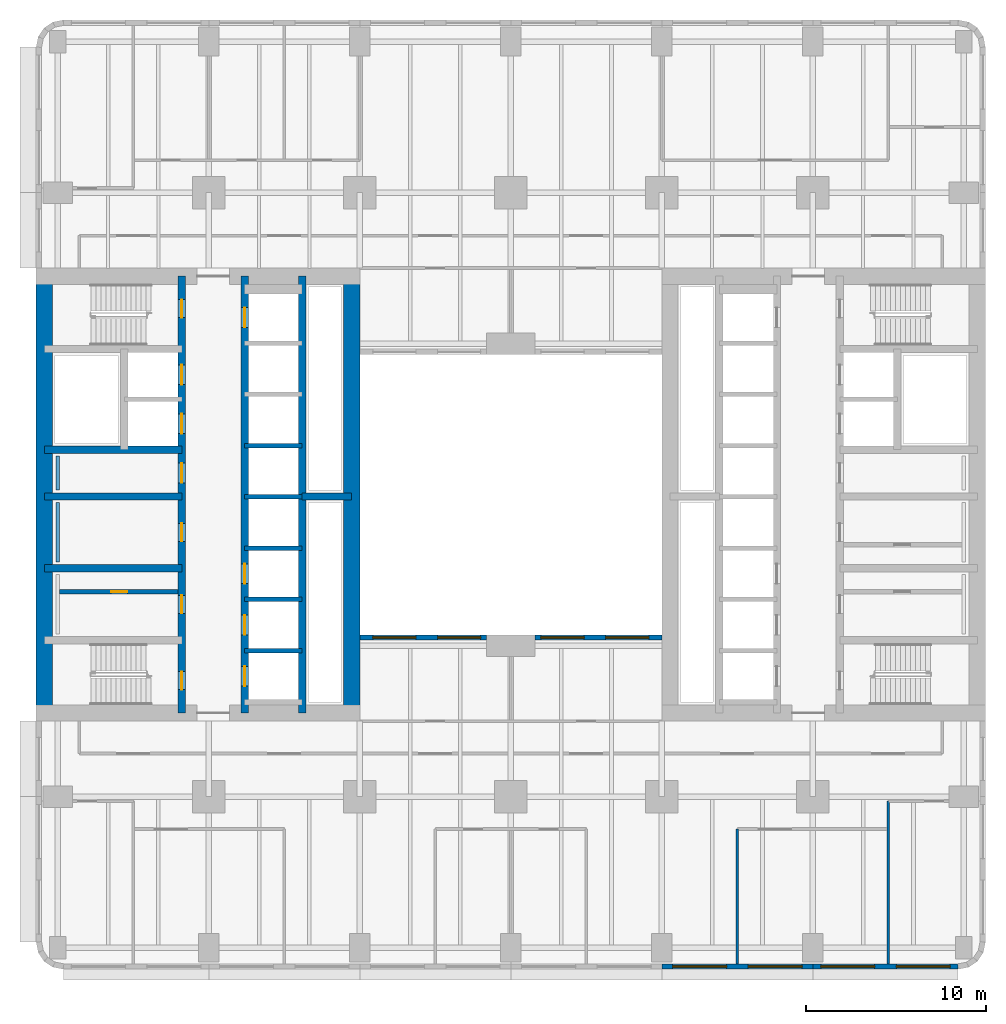
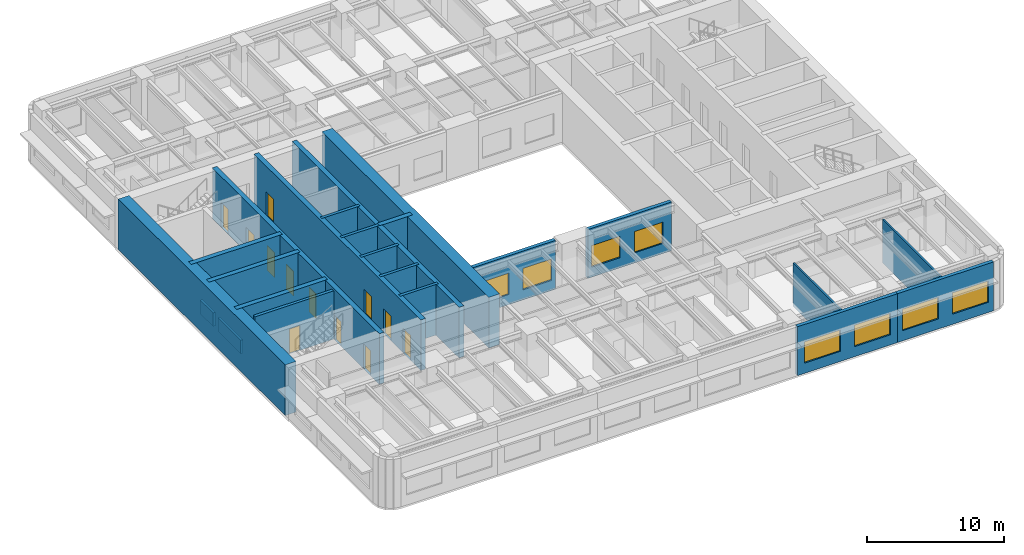
# One storey, part 4 of 14: 23 walls, 12 doors, 8 windows, 20 openings.
"""IFC4 building model written with IfcOpenShell, lengths in metres."""

from ifc_helpers import new_model, si_unit, direction, frame, frame_2d, origin, place, context, subcontext, project, spatial, rectangle, extrude, material, layer, layer_set, type_object, element, fill, save


model = new_model("IFC4")

# Units and contexts
model_context = context("Model", 3, precision=1e-05, world=origin(), true_north=direction((0.0, 1.0)))
body_context = subcontext(model_context, "Body", "Model", "MODEL_VIEW")
ifc_project = project(units=[si_unit("LENGTHUNIT", "METRE"), si_unit("AREAUNIT", "SQUARE_METRE"), si_unit("VOLUMEUNIT", "CUBIC_METRE"), si_unit("PLANEANGLEUNIT", "RADIAN"), si_unit("MASSUNIT", "GRAM", prefix="KILO")], contexts=[model_context])

# Site, building, storey
site_placement = place(None, origin())
site = spatial("IfcSite", under=ifc_project, at=site_placement, CompositionType="ELEMENT")
building_placement = place(site_placement, origin())
building = spatial("IfcBuilding", under=site, at=building_placement, Name="Claustro Exchange Tower", CompositionType="ELEMENT")
storey_placement = place(building_placement, frame((0.0, 0.0, 72.89990234375)))
storey = spatial("IfcBuildingStorey", under=building, at=storey_placement, Name="L16", CompositionType="ELEMENT", Elevation=72.89990234375)

# Walls
ifc_material_1 = material(Name="Gypsum board on steel studs", Category="steel")
ifc_layer_1 = layer(ifc_material_1, 0.14990234375)
ifc_layer_set_1 = layer_set([ifc_layer_1], Name="Gypsum board on steel studs")
wall_type_1 = type_object("IfcWallType", Name="P1 150 plasterboard partition", PredefinedType="PARTITIONING", material=ifc_layer_set_1)
wall_1_placement = place(storey_placement, frame((37.800048828125, -0.902099609375, 0.0), z_axis=(0.0, 0.0, 1.0), x_axis=(0.0, 1.0, 0.0)))
element("IfcWall", 1, at=wall_1_placement, inside=storey, type_object=wall_type_1, Name="Partition P1 L16", PredefinedType="PARTITIONING", context=body_context, shape_type="SweptSolid", body=[
    extrude(rectangle(XDim=7.502197265625, YDim=0.14990234375, at=frame_2d((3.7509765625, 0.0))), origin(), (0.0, 0.0, 1.0), 3.840087890625),
])
wall_2_placement = place(storey_placement, frame((46.199951171875, -0.902099609375, 0.0), z_axis=(0.0, 0.0, 1.0), x_axis=(0.0, 1.0, 0.0)))
element("IfcWall", 2, at=wall_2_placement, inside=storey, type_object=wall_type_1, Name="Partition P1 L16", PredefinedType="PARTITIONING", context=body_context, shape_type="SweptSolid", body=[
    extrude(rectangle(XDim=9.052001953125, YDim=0.14990234375, at=frame_2d((4.52587890625, 0.0))), origin(), (0.0, 0.0, 1.0), 3.840087890625),
])

# Wall, opening, door
ifc_material_2 = material(Name="Concrete blockwork, rendered", Category="masonry")
ifc_layer_2 = layer(ifc_material_2, 0.25)
ifc_layer_set_2 = layer_set([ifc_layer_2], Name="Concrete blockwork, rendered")
wall_type_2 = type_object("IfcWallType", Name="P4 250 blockwork wall", PredefinedType="PARTITIONING", material=ifc_layer_set_2)
wall_3_placement = place(storey_placement, frame((0.10009765625, 19.800048828125, 0.0), z_axis=(0.0, 0.0, 1.0), x_axis=(1.0, 0.0, 0.0)))
wall_3 = element("IfcWall", 3, at=wall_3_placement, inside=storey, type_object=wall_type_2, Name="Partition P4 L16", PredefinedType="PARTITIONING", context=body_context, shape_type="SweptSolid", body=[
    extrude(rectangle(XDim=6.599853515625, YDim=0.25, at=frame_2d((3.2998046875, 0.0))), origin(), (0.0, 0.0, 1.0), 4.300048828125),
])
opening_1_placement = place(wall_3_placement, frame((2.875, 0.0, 0.0)))
opening_1 = element("IfcOpeningElement", 4, at=opening_1_placement, cuts=wall_3, Name="Opening D5", PredefinedType="OPENING", context=body_context, shape_type="SweptSolid", body=[
    extrude(rectangle(XDim=0.89990234375, YDim=2.199951171875, at=frame_2d((0.449951171875, 1.10009765625))), frame((0.0, 0.135009765625, 0.0), z_axis=(0.0, -1.0, 0.0), x_axis=(1.0, 0.0, 0.0)), (0.0, 0.0, 1.0), 0.27001953125),
])
ifc_material_3 = material(Name="Steel door, painted", Category="steel")
door_type_1 = type_object("IfcDoorType", Name="D5 900 x 2200 store door", OperationType="SINGLE_SWING_LEFT", PredefinedType="DOOR", material=ifc_material_3)
door_1_placement = place(opening_1_placement, origin())
door_1 = element("IfcDoor", 5, at=door_1_placement, inside=storey, type_object=door_type_1, Name="Store door D5 L16", OperationType="SINGLE_SWING_LEFT", OverallHeight=2.199951171875, OverallWidth=0.89990234375, PredefinedType="DOOR", context=body_context, shape_type="SweptSolid", body=[
    extrude(rectangle(XDim=0.89990234375, YDim=2.199951171875, at=frame_2d((0.449951171875, 1.10009765625))), frame((0.0, 0.02490234375, 0.0), z_axis=(0.0, -1.0, 0.0), x_axis=(1.0, 0.0, 0.0)), (0.0, 0.0, 1.0), 0.050048828125),
])
fill(opening_1, door_1)

# Wall, openings, windows
ifc_material_4 = material(Name="Concrete HA-40 (C40/50), precast, white cement, acid-etched", Category="concrete")
ifc_layer_3 = layer(ifc_material_4, 0.300048828125)
ifc_layer_set_3 = layer_set([ifc_layer_3], Name="Concrete HA-40 (C40/50), precast, white cement, acid-etched")
wall_type_3 = type_object("IfcWallType", Name="PC1 300 precast concrete pier panel", PredefinedType="SOLIDWALL", material=ifc_layer_set_3)
wall_4_placement = place(storey_placement, frame((50.085205078125, -1.050048828125, 0.0), z_axis=(0.0, 0.0, 1.0), x_axis=(-1.0, 0.0, 0.0)))
wall_4 = element("IfcWall", 6, at=wall_4_placement, inside=storey, type_object=wall_type_3, Name="Precast pier panel PC1 L16", PredefinedType="SOLIDWALL", context=body_context, shape_type="SweptSolid", body=[
    extrude(rectangle(XDim=8.085205078125, YDim=0.300048828125, at=frame_2d((4.04248046875, 0.0))), origin(), (0.0, 0.0, 1.0), 4.340087890625),
])
opening_2_placement = place(wall_4_placement, frame((0.442626953125, 0.0, 0.89990234375)))
opening_2 = element("IfcOpeningElement", 7, at=opening_2_placement, cuts=wall_4, Name="Opening W1", PredefinedType="OPENING", context=body_context, shape_type="SweptSolid", body=[
    extrude(rectangle(XDim=3.0, YDim=1.89990234375, at=frame_2d((1.5, 0.949951171875))), frame((0.0, 0.159912109375, 0.0), z_axis=(0.0, -1.0, 0.0), x_axis=(1.0, 0.0, 0.0)), (0.0, 0.0, 1.0), 0.320068359375),
])
opening_3_placement = place(wall_4_placement, frame((4.642578125, 0.0, 0.89990234375)))
opening_3 = element("IfcOpeningElement", 8, at=opening_3_placement, cuts=wall_4, Name="Opening W1", PredefinedType="OPENING", context=body_context, shape_type="SweptSolid", body=[
    extrude(rectangle(XDim=3.0, YDim=1.89990234375, at=frame_2d((1.5, 0.949951171875))), frame((0.0, 0.159912109375, 0.0), z_axis=(0.0, -1.0, 0.0), x_axis=(1.0, 0.0, 0.0)), (0.0, 0.0, 1.0), 0.320068359375),
])
ifc_material_5 = material(Name="Aluminium frame, clear double glazing", Category="aluminium")
window_type_1 = type_object("IfcWindowType", Name="W1 3000 x 1900 window", PartitioningType="SINGLE_PANEL", PredefinedType="WINDOW", material=ifc_material_5)
window_1_placement = place(opening_2_placement, origin())
window_1 = element("IfcWindow", 9, at=window_1_placement, inside=storey, type_object=window_type_1, Name="Window W1 L16", OverallHeight=1.89990234375, OverallWidth=3.0, PartitioningType="SINGLE_PANEL", PredefinedType="WINDOW", context=body_context, shape_type="SweptSolid", body=[
    extrude(rectangle(XDim=3.0, YDim=1.89990234375, at=frame_2d((1.5, 0.949951171875))), frame((0.0, 0.030029296875, 0.0), z_axis=(0.0, -1.0, 0.0), x_axis=(1.0, 0.0, 0.0)), (0.0, 0.0, 1.0), 0.06005859375),
])
fill(opening_2, window_1)
window_2_placement = place(opening_3_placement, origin())
window_2 = element("IfcWindow", 10, at=window_2_placement, inside=storey, type_object=window_type_1, Name="Window W1 L16", OverallHeight=1.89990234375, OverallWidth=3.0, PartitioningType="SINGLE_PANEL", PredefinedType="WINDOW", context=body_context, shape_type="SweptSolid", body=[
    extrude(rectangle(XDim=3.0, YDim=1.89990234375, at=frame_2d((1.5, 0.949951171875))), frame((0.0, 0.030029296875, 0.0), z_axis=(0.0, -1.0, 0.0), x_axis=(1.0, 0.0, 0.0)), (0.0, 0.0, 1.0), 0.06005859375),
])
fill(opening_3, window_2)

wall_5_placement = place(storey_placement, frame((42.0, -1.050048828125, 0.0), z_axis=(0.0, 0.0, 1.0), x_axis=(-1.0, 0.0, 0.0)))
wall_5 = element("IfcWall", 11, at=wall_5_placement, inside=storey, type_object=wall_type_3, Name="Precast pier panel PC1 L16", PredefinedType="SOLIDWALL", context=body_context, shape_type="SweptSolid", body=[
    extrude(rectangle(XDim=8.39990234375, YDim=0.300048828125, at=frame_2d((4.199951171875, 0.0))), origin(), (0.0, 0.0, 1.0), 4.340087890625),
])
opening_4_placement = place(wall_5_placement, frame((0.60009765625, 0.0, 0.89990234375)))
opening_4 = element("IfcOpeningElement", 12, at=opening_4_placement, cuts=wall_5, Name="Opening W1", PredefinedType="OPENING", context=body_context, shape_type="SweptSolid", body=[
    extrude(rectangle(XDim=3.0, YDim=1.89990234375, at=frame_2d((1.5, 0.949951171875))), frame((0.0, 0.159912109375, 0.0), z_axis=(0.0, -1.0, 0.0), x_axis=(1.0, 0.0, 0.0)), (0.0, 0.0, 1.0), 0.320068359375),
])
opening_5_placement = place(wall_5_placement, frame((4.800048828125, 0.0, 0.89990234375)))
opening_5 = element("IfcOpeningElement", 13, at=opening_5_placement, cuts=wall_5, Name="Opening W1", PredefinedType="OPENING", context=body_context, shape_type="SweptSolid", body=[
    extrude(rectangle(XDim=3.0, YDim=1.89990234375, at=frame_2d((1.5, 0.949951171875))), frame((0.0, 0.159912109375, 0.0), z_axis=(0.0, -1.0, 0.0), x_axis=(1.0, 0.0, 0.0)), (0.0, 0.0, 1.0), 0.320068359375),
])
window_3_placement = place(opening_4_placement, origin())
window_3 = element("IfcWindow", 14, at=window_3_placement, inside=storey, type_object=window_type_1, Name="Window W1 L16", OverallHeight=1.89990234375, OverallWidth=3.0, PartitioningType="SINGLE_PANEL", PredefinedType="WINDOW", context=body_context, shape_type="SweptSolid", body=[
    extrude(rectangle(XDim=3.0, YDim=1.89990234375, at=frame_2d((1.5, 0.949951171875))), frame((0.0, 0.030029296875, 0.0), z_axis=(0.0, -1.0, 0.0), x_axis=(1.0, 0.0, 0.0)), (0.0, 0.0, 1.0), 0.06005859375),
])
fill(opening_4, window_3)
window_4_placement = place(opening_5_placement, origin())
window_4 = element("IfcWindow", 15, at=window_4_placement, inside=storey, type_object=window_type_1, Name="Window W1 L16", OverallHeight=1.89990234375, OverallWidth=3.0, PartitioningType="SINGLE_PANEL", PredefinedType="WINDOW", context=body_context, shape_type="SweptSolid", body=[
    extrude(rectangle(XDim=3.0, YDim=1.89990234375, at=frame_2d((1.5, 0.949951171875))), frame((0.0, 0.030029296875, 0.0), z_axis=(0.0, -1.0, 0.0), x_axis=(1.0, 0.0, 0.0)), (0.0, 0.0, 1.0), 0.06005859375),
])
fill(opening_5, window_4)

wall_6_placement = place(storey_placement, frame((16.800048828125, 17.25, 0.0), z_axis=(0.0, 0.0, 1.0), x_axis=(1.0, 0.0, 0.0)))
wall_6 = element("IfcWall", 16, at=wall_6_placement, inside=storey, type_object=wall_type_3, Name="Precast pier panel PC1 L16", PredefinedType="SOLIDWALL", context=body_context, shape_type="SweptSolid", body=[
    extrude(rectangle(XDim=7.050048828125, YDim=0.300048828125, at=frame_2d((3.52490234375, 0.0))), origin(), (0.0, 0.0, 1.0), 4.340087890625),
])
opening_6_placement = place(wall_6_placement, frame((0.72509765625, 0.0, 0.89990234375)))
opening_6 = element("IfcOpeningElement", 17, at=opening_6_placement, cuts=wall_6, Name="Opening W2", PredefinedType="OPENING", context=body_context, shape_type="SweptSolid", body=[
    extrude(rectangle(XDim=2.39990234375, YDim=1.89990234375, at=frame_2d((1.199951171875, 0.949951171875))), frame((0.0, 0.159912109375, 0.0), z_axis=(0.0, -1.0, 0.0), x_axis=(1.0, 0.0, 0.0)), (0.0, 0.0, 1.0), 0.320068359375),
])
opening_7_placement = place(wall_6_placement, frame((4.324951171875, 0.0, 0.89990234375)))
opening_7 = element("IfcOpeningElement", 18, at=opening_7_placement, cuts=wall_6, Name="Opening W2", PredefinedType="OPENING", context=body_context, shape_type="SweptSolid", body=[
    extrude(rectangle(XDim=2.39990234375, YDim=1.89990234375, at=frame_2d((1.199951171875, 0.949951171875))), frame((0.0, 0.159912109375, 0.0), z_axis=(0.0, -1.0, 0.0), x_axis=(1.0, 0.0, 0.0)), (0.0, 0.0, 1.0), 0.320068359375),
])
ifc_material_6 = material(Name="Aluminium frame, clear double glazing", Category="aluminium")
window_type_2 = type_object("IfcWindowType", Name="W2 2400 x 1900 window", PartitioningType="SINGLE_PANEL", PredefinedType="WINDOW", material=ifc_material_6)
window_5_placement = place(opening_6_placement, origin())
window_5 = element("IfcWindow", 19, at=window_5_placement, inside=storey, type_object=window_type_2, Name="Window W2 L16", OverallHeight=1.89990234375, OverallWidth=2.39990234375, PartitioningType="SINGLE_PANEL", PredefinedType="WINDOW", context=body_context, shape_type="SweptSolid", body=[
    extrude(rectangle(XDim=2.39990234375, YDim=1.89990234375, at=frame_2d((1.199951171875, 0.949951171875))), frame((0.0, 0.030029296875, 0.0), z_axis=(0.0, -1.0, 0.0), x_axis=(1.0, 0.0, 0.0)), (0.0, 0.0, 1.0), 0.06005859375),
])
fill(opening_6, window_5)
window_6_placement = place(opening_7_placement, origin())
window_6 = element("IfcWindow", 20, at=window_6_placement, inside=storey, type_object=window_type_2, Name="Window W2 L16", OverallHeight=1.89990234375, OverallWidth=2.39990234375, PartitioningType="SINGLE_PANEL", PredefinedType="WINDOW", context=body_context, shape_type="SweptSolid", body=[
    extrude(rectangle(XDim=2.39990234375, YDim=1.89990234375, at=frame_2d((1.199951171875, 0.949951171875))), frame((0.0, 0.030029296875, 0.0), z_axis=(0.0, -1.0, 0.0), x_axis=(1.0, 0.0, 0.0)), (0.0, 0.0, 1.0), 0.06005859375),
])
fill(opening_7, window_6)

wall_7_placement = place(storey_placement, frame((26.550048828125, 17.25, 0.0), z_axis=(0.0, 0.0, 1.0), x_axis=(1.0, 0.0, 0.0)))
wall_7 = element("IfcWall", 21, at=wall_7_placement, inside=storey, type_object=wall_type_3, Name="Precast pier panel PC1 L16", PredefinedType="SOLIDWALL", context=body_context, shape_type="SweptSolid", body=[
    extrude(rectangle(XDim=7.050048828125, YDim=0.300048828125, at=frame_2d((3.52490234375, 0.0))), origin(), (0.0, 0.0, 1.0), 4.340087890625),
])
opening_8_placement = place(wall_7_placement, frame((0.324951171875, 0.0, 0.89990234375)))
opening_8 = element("IfcOpeningElement", 22, at=opening_8_placement, cuts=wall_7, Name="Opening W2", PredefinedType="OPENING", context=body_context, shape_type="SweptSolid", body=[
    extrude(rectangle(XDim=2.39990234375, YDim=1.89990234375, at=frame_2d((1.199951171875, 0.949951171875))), frame((0.0, 0.159912109375, 0.0), z_axis=(0.0, -1.0, 0.0), x_axis=(1.0, 0.0, 0.0)), (0.0, 0.0, 1.0), 0.320068359375),
])
opening_9_placement = place(wall_7_placement, frame((3.925048828125, 0.0, 0.89990234375)))
opening_9 = element("IfcOpeningElement", 23, at=opening_9_placement, cuts=wall_7, Name="Opening W2", PredefinedType="OPENING", context=body_context, shape_type="SweptSolid", body=[
    extrude(rectangle(XDim=2.39990234375, YDim=1.89990234375, at=frame_2d((1.199951171875, 0.949951171875))), frame((0.0, 0.159912109375, 0.0), z_axis=(0.0, -1.0, 0.0), x_axis=(1.0, 0.0, 0.0)), (0.0, 0.0, 1.0), 0.320068359375),
])
window_7_placement = place(opening_8_placement, origin())
window_7 = element("IfcWindow", 24, at=window_7_placement, inside=storey, type_object=window_type_2, Name="Window W2 L16", OverallHeight=1.89990234375, OverallWidth=2.39990234375, PartitioningType="SINGLE_PANEL", PredefinedType="WINDOW", context=body_context, shape_type="SweptSolid", body=[
    extrude(rectangle(XDim=2.39990234375, YDim=1.89990234375, at=frame_2d((1.199951171875, 0.949951171875))), frame((0.0, 0.030029296875, 0.0), z_axis=(0.0, -1.0, 0.0), x_axis=(1.0, 0.0, 0.0)), (0.0, 0.0, 1.0), 0.06005859375),
])
fill(opening_8, window_7)
window_8_placement = place(opening_9_placement, origin())
window_8 = element("IfcWindow", 25, at=window_8_placement, inside=storey, type_object=window_type_2, Name="Window W2 L16", OverallHeight=1.89990234375, OverallWidth=2.39990234375, PartitioningType="SINGLE_PANEL", PredefinedType="WINDOW", context=body_context, shape_type="SweptSolid", body=[
    extrude(rectangle(XDim=2.39990234375, YDim=1.89990234375, at=frame_2d((1.199951171875, 0.949951171875))), frame((0.0, 0.030029296875, 0.0), z_axis=(0.0, -1.0, 0.0), x_axis=(1.0, 0.0, 0.0)), (0.0, 0.0, 1.0), 0.06005859375),
])
fill(opening_9, window_8)

# Walls
ifc_material_7 = material(Name="Gypsum board on steel studs, tiled", Category="steel")
ifc_layer_4 = layer(ifc_material_7, 0.199951171875)
ifc_layer_set_4 = layer_set([ifc_layer_4], Name="Gypsum board on steel studs, tiled")
wall_type_4 = type_object("IfcWallType", Name="PW1 200 WC duct wall", PredefinedType="PLUMBINGWALL", material=ifc_layer_set_4)
wall_8_placement = place(storey_placement, frame((0.0, 21.449951171875, 0.0), z_axis=(0.0, 0.0, 1.0), x_axis=(0.0, 1.0, 0.0)))
element("IfcWall", 26, at=wall_8_placement, inside=storey, type_object=wall_type_4, Name="WC duct wall PW1 L16", PredefinedType="PLUMBINGWALL", context=body_context, shape_type="SweptSolid", body=[
    extrude(rectangle(XDim=3.300048828125, YDim=0.199951171875, at=frame_2d((1.64990234375, 0.0))), origin(), (0.0, 0.0, 1.0), 1.2001953125),
])
wall_9_placement = place(storey_placement, frame((0.0, 25.449951171875, 0.0), z_axis=(0.0, 0.0, 1.0), x_axis=(0.0, 1.0, 0.0)))
element("IfcWall", 27, at=wall_9_placement, inside=storey, type_object=wall_type_4, Name="WC duct wall PW1 L16", PredefinedType="PLUMBINGWALL", context=body_context, shape_type="SweptSolid", body=[
    extrude(rectangle(XDim=1.900146484375, YDim=0.199951171875, at=frame_2d((0.9501953125, 0.0))), origin(), (0.0, 0.0, 1.0), 1.2001953125),
])
ifc_material_8 = material(Name="Concrete HA-70 (C70/85)", Category="concrete")
ifc_layer_5 = layer(ifc_material_8, 0.89990234375)
ifc_layer_set_5 = layer_set([ifc_layer_5], Name="Concrete HA-70 (C70/85)")
wall_type_5 = type_object("IfcWallType", Name="SW1X 900 exposed core shear wall, board-marked face", PredefinedType="SHEAR", material=ifc_layer_set_5)
for number, where, z_axis, x_axis, name in (
    (28, (-0.75, 13.050048828125, 0.0), (0.0, 0.0, 1.0), (0.0, 1.0, 0.0), "Core wall SW1X W core W face L16"),
    (29, (16.35009765625, 13.050048828125, 0.0), (0.0, 0.0, 1.0), (0.0, 1.0, 0.0), "Core wall SW1X W core E face L16"),
):
    element("IfcWall", number, at=place(storey_placement, frame(where, z_axis=z_axis, x_axis=x_axis)), inside=storey, type_object=wall_type_5, Name=name, PredefinedType="SHEAR", context=body_context, shape_type="SweptSolid", body=[
        extrude(rectangle(XDim=24.300048828125, YDim=0.89990234375, at=frame_2d((12.14990234375, 0.0))), origin(), (0.0, 0.0, 1.0), 4.5),
    ])

# Wall, openings, doors
ifc_material_9 = material(Name="Concrete HA-50 (C50/60)", Category="concrete")
ifc_layer_6 = layer(ifc_material_9, 0.39990234375)
ifc_layer_set_6 = layer_set([ifc_layer_6], Name="Concrete HA-50 (C50/60)")
wall_type_6 = type_object("IfcWallType", Name="SW4 400 internal core wall", PredefinedType="SHEAR", material=ifc_layer_set_6)
wall_10_placement = place(storey_placement, frame((6.89990234375, 13.050048828125, 0.0), z_axis=(0.0, 0.0, 1.0), x_axis=(0.0, 1.0, 0.0)))
wall_10 = element("IfcWall", 30, at=wall_10_placement, inside=storey, type_object=wall_type_6, Name="Internal core wall SW4 W core L16", PredefinedType="SHEAR", context=body_context, shape_type="SweptSolid", body=[
    extrude(rectangle(XDim=24.300048828125, YDim=0.39990234375, at=frame_2d((12.14990234375, 0.0))), origin(), (0.0, 0.0, 1.0), 4.5),
])
opening_10_placement = place(wall_10_placement, frame((1.300048828125, 0.0, 0.0)))
opening_10 = element("IfcOpeningElement", 31, at=opening_10_placement, cuts=wall_10, Name="Opening D4", PredefinedType="OPENING", context=body_context, shape_type="SweptSolid", body=[
    extrude(rectangle(XDim=1.0, YDim=2.199951171875, at=frame_2d((0.5, 1.10009765625))), frame((0.0, 0.2099609375, 0.0), z_axis=(0.0, -1.0, 0.0), x_axis=(1.0, 0.0, 0.0)), (0.0, 0.0, 1.0), 0.419921875),
])
opening_11_placement = place(wall_10_placement, frame((22.0, 0.0, 0.0)))
opening_11 = element("IfcOpeningElement", 32, at=opening_11_placement, cuts=wall_10, Name="Opening D4", PredefinedType="OPENING", context=body_context, shape_type="SweptSolid", body=[
    extrude(rectangle(XDim=1.0, YDim=2.199951171875, at=frame_2d((0.5, 1.10009765625))), frame((0.0, 0.2099609375, 0.0), z_axis=(0.0, -1.0, 0.0), x_axis=(1.0, 0.0, 0.0)), (0.0, 0.0, 1.0), 0.419921875),
])
opening_12_placement = place(wall_10_placement, frame((5.550048828125, 0.0, 0.0)))
opening_12 = element("IfcOpeningElement", 33, at=opening_12_placement, cuts=wall_10, Name="Opening D1", PredefinedType="OPENING", context=body_context, shape_type="SweptSolid", body=[
    extrude(rectangle(XDim=1.0, YDim=2.199951171875, at=frame_2d((0.5, 1.10009765625))), frame((0.0, 0.2099609375, 0.0), z_axis=(0.0, -1.0, 0.0), x_axis=(1.0, 0.0, 0.0)), (0.0, 0.0, 1.0), 0.419921875),
])
opening_13_placement = place(wall_10_placement, frame((9.550048828125, 0.0, 0.0)))
opening_13 = element("IfcOpeningElement", 34, at=opening_13_placement, cuts=wall_10, Name="Opening D1", PredefinedType="OPENING", context=body_context, shape_type="SweptSolid", body=[
    extrude(rectangle(XDim=1.0, YDim=2.199951171875, at=frame_2d((0.5, 1.10009765625))), frame((0.0, 0.2099609375, 0.0), z_axis=(0.0, -1.0, 0.0), x_axis=(1.0, 0.0, 0.0)), (0.0, 0.0, 1.0), 0.419921875),
])
opening_14_placement = place(wall_10_placement, frame((12.800048828125, 0.0, 0.0)))
opening_14 = element("IfcOpeningElement", 35, at=opening_14_placement, cuts=wall_10, Name="Opening D10", PredefinedType="OPENING", context=body_context, shape_type="SweptSolid", body=[
    extrude(rectangle(XDim=1.10009765625, YDim=2.199951171875, at=frame_2d((0.550048828125, 1.10009765625))), frame((0.0, 0.2099609375, 0.0), z_axis=(0.0, -1.0, 0.0), x_axis=(1.0, 0.0, 0.0)), (0.0, 0.0, 1.0), 0.419921875),
])
opening_15_placement = place(wall_10_placement, frame((15.53759765625, 0.0, 0.0)))
opening_15 = element("IfcOpeningElement", 36, at=opening_15_placement, cuts=wall_10, Name="Opening LD", PredefinedType="OPENING", context=body_context, shape_type="SweptSolid", body=[
    extrude(rectangle(XDim=1.10009765625, YDim=2.199951171875, at=frame_2d((0.550048828125, 1.10009765625))), frame((0.0, 0.2099609375, 0.0), z_axis=(0.0, -1.0, 0.0), x_axis=(1.0, 0.0, 0.0)), (0.0, 0.0, 1.0), 0.419921875),
])
opening_16_placement = place(wall_10_placement, frame((18.262451171875, 0.0, 0.0)))
opening_16 = element("IfcOpeningElement", 37, at=opening_16_placement, cuts=wall_10, Name="Opening LD", PredefinedType="OPENING", context=body_context, shape_type="SweptSolid", body=[
    extrude(rectangle(XDim=1.10009765625, YDim=2.199951171875, at=frame_2d((0.550048828125, 1.10009765625))), frame((0.0, 0.2099609375, 0.0), z_axis=(0.0, -1.0, 0.0), x_axis=(1.0, 0.0, 0.0)), (0.0, 0.0, 1.0), 0.419921875),
])
ifc_material_10 = material(Name="Timber door, oak veneer", Category="wood")
door_type_2 = type_object("IfcDoorType", Name="D1 1000 x 2200 single door", OperationType="SINGLE_SWING_LEFT", PredefinedType="DOOR", material=ifc_material_10)
door_2_placement = place(opening_12_placement, origin())
door_2 = element("IfcDoor", 38, at=door_2_placement, inside=storey, type_object=door_type_2, Name="Door D1 L16", OperationType="SINGLE_SWING_RIGHT", OverallHeight=2.199951171875, OverallWidth=1.0, PredefinedType="DOOR", context=body_context, shape_type="SweptSolid", body=[
    extrude(rectangle(XDim=1.0, YDim=2.199951171875, at=frame_2d((0.5, 1.10009765625))), frame((0.0, 0.02490234375, 0.0), z_axis=(0.0, -1.0, 0.0), x_axis=(1.0, 0.0, 0.0)), (0.0, 0.0, 1.0), 0.050048828125),
])
fill(opening_12, door_2)
door_3_placement = place(opening_13_placement, origin())
door_3 = element("IfcDoor", 39, at=door_3_placement, inside=storey, type_object=door_type_2, Name="Door D1 L16", OperationType="SINGLE_SWING_RIGHT", OverallHeight=2.199951171875, OverallWidth=1.0, PredefinedType="DOOR", context=body_context, shape_type="SweptSolid", body=[
    extrude(rectangle(XDim=1.0, YDim=2.199951171875, at=frame_2d((0.5, 1.10009765625))), frame((0.0, 0.02490234375, 0.0), z_axis=(0.0, -1.0, 0.0), x_axis=(1.0, 0.0, 0.0)), (0.0, 0.0, 1.0), 0.050048828125),
])
fill(opening_13, door_3)
ifc_material_11 = material(Name="Timber door, oak veneer", Category="wood")
door_type_3 = type_object("IfcDoorType", Name="D10 1100 x 2200 accessible WC door", OperationType="SINGLE_SWING_LEFT", PredefinedType="DOOR", material=ifc_material_11)
door_4_placement = place(opening_14_placement, frame((1.10009765625, 0.0, 0.0), z_axis=(0.0, 0.0, 1.0), x_axis=(-1.0, 0.0, 0.0)))
door_4 = element("IfcDoor", 40, at=door_4_placement, inside=storey, type_object=door_type_3, Name="Accessible WC door D10 L16", OperationType="SINGLE_SWING_LEFT", OverallHeight=2.199951171875, OverallWidth=1.10009765625, PredefinedType="DOOR", context=body_context, shape_type="SweptSolid", body=[
    extrude(rectangle(XDim=1.10009765625, YDim=2.199951171875, at=frame_2d((0.550048828125, 1.10009765625))), frame((0.0, 0.02490234375, 0.0), z_axis=(0.0, -1.0, 0.0), x_axis=(1.0, 0.0, 0.0)), (0.0, 0.0, 1.0), 0.050048828125),
])
fill(opening_14, door_4)
ifc_material_12 = material(Name="Steel fire door, painted", Category="steel")
door_type_4 = type_object("IfcDoorType", Name="D4 1000 x 2200 fire-rated stair door", OperationType="SINGLE_SWING_LEFT", PredefinedType="DOOR", material=ifc_material_12)
door_5_placement = place(opening_10_placement, origin())
door_5 = element("IfcDoor", 41, at=door_5_placement, inside=storey, type_object=door_type_4, Name="Stair door D4 L16", OperationType="SINGLE_SWING_LEFT", OverallHeight=2.199951171875, OverallWidth=1.0, PredefinedType="DOOR", context=body_context, shape_type="SweptSolid", body=[
    extrude(rectangle(XDim=1.0, YDim=2.199951171875, at=frame_2d((0.5, 1.10009765625))), frame((0.0, 0.02490234375, 0.0), z_axis=(0.0, -1.0, 0.0), x_axis=(1.0, 0.0, 0.0)), (0.0, 0.0, 1.0), 0.050048828125),
])
fill(opening_10, door_5)
door_6_placement = place(opening_11_placement, origin())
door_6 = element("IfcDoor", 42, at=door_6_placement, inside=storey, type_object=door_type_4, Name="Stair door D4 L16", OperationType="SINGLE_SWING_RIGHT", OverallHeight=2.199951171875, OverallWidth=1.0, PredefinedType="DOOR", context=body_context, shape_type="SweptSolid", body=[
    extrude(rectangle(XDim=1.0, YDim=2.199951171875, at=frame_2d((0.5, 1.10009765625))), frame((0.0, 0.02490234375, 0.0), z_axis=(0.0, -1.0, 0.0), x_axis=(1.0, 0.0, 0.0)), (0.0, 0.0, 1.0), 0.050048828125),
])
fill(opening_11, door_6)
ifc_material_13 = material(Name="Stainless steel sliding door", Category="steel")
door_type_5 = type_object("IfcDoorType", Name="LD 1100 x 2200 lift landing door", OperationType="DOUBLE_DOOR_SLIDING", PredefinedType="DOOR", material=ifc_material_13)
door_7_placement = place(opening_15_placement, origin())
door_7 = element("IfcDoor", 43, at=door_7_placement, inside=storey, type_object=door_type_5, Name="Lift landing door LEW1 LD L16", OperationType="DOUBLE_DOOR_SLIDING", OverallHeight=2.199951171875, OverallWidth=1.10009765625, PredefinedType="DOOR", context=body_context, shape_type="SweptSolid", body=[
    extrude(rectangle(XDim=1.10009765625, YDim=2.199951171875, at=frame_2d((0.550048828125, 1.10009765625))), frame((0.0, 0.02490234375, 0.0), z_axis=(0.0, -1.0, 0.0), x_axis=(1.0, 0.0, 0.0)), (0.0, 0.0, 1.0), 0.050048828125),
])
fill(opening_15, door_7)
door_8_placement = place(opening_16_placement, origin())
door_8 = element("IfcDoor", 44, at=door_8_placement, inside=storey, type_object=door_type_5, Name="Lift landing door LEW2 LD L16", OperationType="DOUBLE_DOOR_SLIDING", OverallHeight=2.199951171875, OverallWidth=1.10009765625, PredefinedType="DOOR", context=body_context, shape_type="SweptSolid", body=[
    extrude(rectangle(XDim=1.10009765625, YDim=2.199951171875, at=frame_2d((0.550048828125, 1.10009765625))), frame((0.0, 0.02490234375, 0.0), z_axis=(0.0, -1.0, 0.0), x_axis=(1.0, 0.0, 0.0)), (0.0, 0.0, 1.0), 0.050048828125),
])
fill(opening_16, door_8)

wall_11_placement = place(storey_placement, frame((10.39990234375, 13.050048828125, 0.0), z_axis=(0.0, 0.0, 1.0), x_axis=(0.0, 1.0, 0.0)))
wall_11 = element("IfcWall", 45, at=wall_11_placement, inside=storey, type_object=wall_type_6, Name="Internal core wall SW4 W core L16", PredefinedType="SHEAR", context=body_context, shape_type="SweptSolid", body=[
    extrude(rectangle(XDim=24.300048828125, YDim=0.39990234375, at=frame_2d((12.14990234375, 0.0))), origin(), (0.0, 0.0, 1.0), 4.5),
])
opening_17_placement = place(wall_11_placement, frame((1.5, 0.0, 0.0)))
opening_17 = element("IfcOpeningElement", 46, at=opening_17_placement, cuts=wall_11, Name="Opening LD", PredefinedType="OPENING", context=body_context, shape_type="SweptSolid", body=[
    extrude(rectangle(XDim=1.10009765625, YDim=2.199951171875, at=frame_2d((0.550048828125, 1.10009765625))), frame((0.0, 0.2099609375, 0.0), z_axis=(0.0, -1.0, 0.0), x_axis=(1.0, 0.0, 0.0)), (0.0, 0.0, 1.0), 0.419921875),
])
opening_18_placement = place(wall_11_placement, frame((4.35009765625, 0.0, 0.0)))
opening_18 = element("IfcOpeningElement", 47, at=opening_18_placement, cuts=wall_11, Name="Opening LD", PredefinedType="OPENING", context=body_context, shape_type="SweptSolid", body=[
    extrude(rectangle(XDim=1.10009765625, YDim=2.199951171875, at=frame_2d((0.550048828125, 1.10009765625))), frame((0.0, 0.2099609375, 0.0), z_axis=(0.0, -1.0, 0.0), x_axis=(1.0, 0.0, 0.0)), (0.0, 0.0, 1.0), 0.419921875),
])
opening_19_placement = place(wall_11_placement, frame((7.199951171875, 0.0, 0.0)))
opening_19 = element("IfcOpeningElement", 48, at=opening_19_placement, cuts=wall_11, Name="Opening LD", PredefinedType="OPENING", context=body_context, shape_type="SweptSolid", body=[
    extrude(rectangle(XDim=1.10009765625, YDim=2.199951171875, at=frame_2d((0.550048828125, 1.10009765625))), frame((0.0, 0.2099609375, 0.0), z_axis=(0.0, -1.0, 0.0), x_axis=(1.0, 0.0, 0.0)), (0.0, 0.0, 1.0), 0.419921875),
])
opening_20_placement = place(wall_11_placement, frame((21.449951171875, 0.0, 0.0)))
opening_20 = element("IfcOpeningElement", 49, at=opening_20_placement, cuts=wall_11, Name="Opening LD", PredefinedType="OPENING", context=body_context, shape_type="SweptSolid", body=[
    extrude(rectangle(XDim=1.10009765625, YDim=2.199951171875, at=frame_2d((0.550048828125, 1.10009765625))), frame((0.0, 0.2099609375, 0.0), z_axis=(0.0, -1.0, 0.0), x_axis=(1.0, 0.0, 0.0)), (0.0, 0.0, 1.0), 0.419921875),
])
door_9_placement = place(opening_17_placement, origin())
door_9 = element("IfcDoor", 50, at=door_9_placement, inside=storey, type_object=door_type_5, Name="Lift landing door LLW1 LD L16", OperationType="DOUBLE_DOOR_SLIDING", OverallHeight=2.199951171875, OverallWidth=1.10009765625, PredefinedType="DOOR", context=body_context, shape_type="SweptSolid", body=[
    extrude(rectangle(XDim=1.10009765625, YDim=2.199951171875, at=frame_2d((0.550048828125, 1.10009765625))), frame((0.0, 0.02490234375, 0.0), z_axis=(0.0, -1.0, 0.0), x_axis=(1.0, 0.0, 0.0)), (0.0, 0.0, 1.0), 0.050048828125),
])
fill(opening_17, door_9)
door_10_placement = place(opening_18_placement, origin())
door_10 = element("IfcDoor", 51, at=door_10_placement, inside=storey, type_object=door_type_5, Name="Lift landing door LLW2 LD L16", OperationType="DOUBLE_DOOR_SLIDING", OverallHeight=2.199951171875, OverallWidth=1.10009765625, PredefinedType="DOOR", context=body_context, shape_type="SweptSolid", body=[
    extrude(rectangle(XDim=1.10009765625, YDim=2.199951171875, at=frame_2d((0.550048828125, 1.10009765625))), frame((0.0, 0.02490234375, 0.0), z_axis=(0.0, -1.0, 0.0), x_axis=(1.0, 0.0, 0.0)), (0.0, 0.0, 1.0), 0.050048828125),
])
fill(opening_18, door_10)
door_11_placement = place(opening_19_placement, origin())
door_11 = element("IfcDoor", 52, at=door_11_placement, inside=storey, type_object=door_type_5, Name="Lift landing door LLW3 LD L16", OperationType="DOUBLE_DOOR_SLIDING", OverallHeight=2.199951171875, OverallWidth=1.10009765625, PredefinedType="DOOR", context=body_context, shape_type="SweptSolid", body=[
    extrude(rectangle(XDim=1.10009765625, YDim=2.199951171875, at=frame_2d((0.550048828125, 1.10009765625))), frame((0.0, 0.02490234375, 0.0), z_axis=(0.0, -1.0, 0.0), x_axis=(1.0, 0.0, 0.0)), (0.0, 0.0, 1.0), 0.050048828125),
])
fill(opening_19, door_11)
door_12_placement = place(opening_20_placement, origin())
door_12 = element("IfcDoor", 53, at=door_12_placement, inside=storey, type_object=door_type_5, Name="Lift landing door LSW1 LD L16", OperationType="DOUBLE_DOOR_SLIDING", OverallHeight=2.199951171875, OverallWidth=1.10009765625, PredefinedType="DOOR", context=body_context, shape_type="SweptSolid", body=[
    extrude(rectangle(XDim=1.10009765625, YDim=2.199951171875, at=frame_2d((0.550048828125, 1.10009765625))), frame((0.0, 0.02490234375, 0.0), z_axis=(0.0, -1.0, 0.0), x_axis=(1.0, 0.0, 0.0)), (0.0, 0.0, 1.0), 0.050048828125),
])
fill(opening_20, door_12)

# Walls
wall_12_placement = place(storey_placement, frame((13.60009765625, 13.050048828125, 0.0), z_axis=(0.0, 0.0, 1.0), x_axis=(0.0, 1.0, 0.0)))
element("IfcWall", 54, at=wall_12_placement, inside=storey, type_object=wall_type_6, Name="Internal core wall SW4 W core L16", PredefinedType="SHEAR", context=body_context, shape_type="SweptSolid", body=[
    extrude(rectangle(XDim=24.300048828125, YDim=0.39990234375, at=frame_2d((12.14990234375, 0.0))), origin(), (0.0, 0.0, 1.0), 4.5),
])
for number, where, z_axis, x_axis, name in (
    (55, (-0.75, 21.10009765625, 0.0), (0.0, 0.0, 1.0), (1.0, 0.0, 0.0), "Internal core wall SW4 W core L16"),
    (56, (-0.75, 25.10009765625, 0.0), (0.0, 0.0, 1.0), (1.0, 0.0, 0.0), "Internal core wall SW4 W core L16"),
    (57, (-0.75, 27.699951171875, 0.0), (0.0, 0.0, 1.0), (1.0, 0.0, 0.0), "Internal core wall SW4 W core L16"),
):
    element("IfcWall", number, at=place(storey_placement, frame(where, z_axis=z_axis, x_axis=x_axis)), inside=storey, type_object=wall_type_6, Name=name, PredefinedType="SHEAR", context=body_context, shape_type="SweptSolid", body=[
        extrude(rectangle(XDim=7.64990234375, YDim=0.39990234375, at=frame_2d((3.824951171875, 0.0))), origin(), (0.0, 0.0, 1.0), 4.5),
    ])
wall_13_placement = place(storey_placement, frame((13.60009765625, 25.10009765625, 0.0), z_axis=(0.0, 0.0, 1.0), x_axis=(1.0, 0.0, 0.0)))
element("IfcWall", 58, at=wall_13_placement, inside=storey, type_object=wall_type_6, Name="Internal core wall SW4 W core L16", PredefinedType="SHEAR", context=body_context, shape_type="SweptSolid", body=[
    extrude(rectangle(XDim=2.75, YDim=0.39990234375, at=frame_2d((1.375, 0.0))), origin(), (0.0, 0.0, 1.0), 4.5),
])
ifc_material_14 = material(Name="Concrete HA-50 (C50/60)", Category="concrete")
ifc_layer_7 = layer(ifc_material_14, 0.25)
ifc_layer_set_7 = layer_set([ifc_layer_7], Name="Concrete HA-50 (C50/60)")
wall_type_7 = type_object("IfcWallType", Name="SW5 250 lift shaft divider wall", PredefinedType="SHEAR", material=ifc_layer_set_7)
for number, where, z_axis, x_axis, name in (
    (59, (10.39990234375, 16.52490234375, 0.0), (0.0, 0.0, 1.0), (1.0, 0.0, 0.0), "Lift shaft wall W core L16"),
    (60, (10.39990234375, 19.375, 0.0), (0.0, 0.0, 1.0), (1.0, 0.0, 0.0), "Lift shaft wall W core L16"),
    (61, (10.39990234375, 22.22509765625, 0.0), (0.0, 0.0, 1.0), (1.0, 0.0, 0.0), "Lift shaft wall W core L16"),
    (62, (10.39990234375, 25.074951171875, 0.0), (0.0, 0.0, 1.0), (1.0, 0.0, 0.0), "Lift shaft wall W core L16"),
    (63, (10.39990234375, 27.925048828125, 0.0), (0.0, 0.0, 1.0), (1.0, 0.0, 0.0), "Lift shaft wall W core L16"),
):
    element("IfcWall", number, at=place(storey_placement, frame(where, z_axis=z_axis, x_axis=x_axis)), inside=storey, type_object=wall_type_7, Name=name, PredefinedType="SHEAR", context=body_context, shape_type="SweptSolid", body=[
        extrude(rectangle(XDim=3.2001953125, YDim=0.25, at=frame_2d((1.60009765625, 0.0))), origin(), (0.0, 0.0, 1.0), 4.5),
    ])

save(model, "model.ifc")
